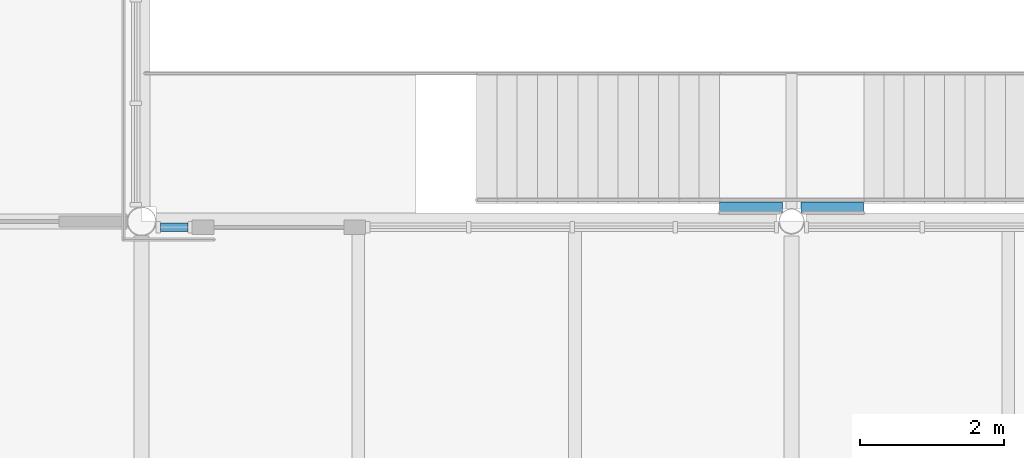
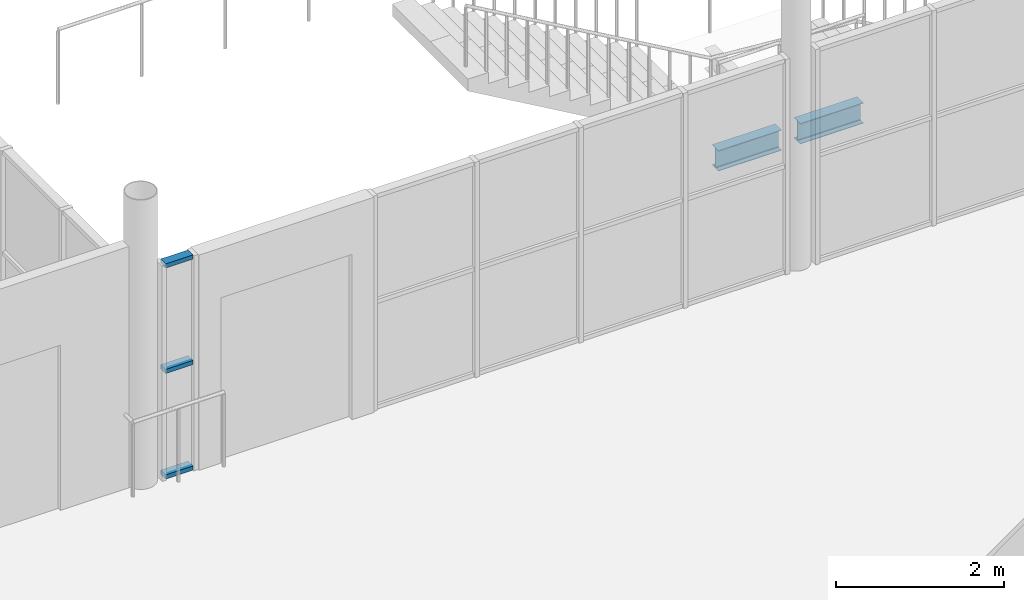
# One storey, part 25 of 57: 3 members, 2 beams, 1 element without a shape of its own.
"""IFC4 building model written with IfcOpenShell, lengths in metres."""

import ifcopenshell
import ifcopenshell.guid

model = None  # the IFC model being written
_history = None  # IfcOwnerHistory: only IFC2X3 demands one
_inside = {}  # id of a spatial element -> (the spatial element, [elements in it])
_under = {}  # id of a project, library or spatial element -> (it, [spatial elements below it])
_declared = {}  # id of a project -> (the project, [libraries it declares])
_typed = {}  # id of a type object -> (the type object, [elements of that type])
_made_of = {}  # id of a material, layer set ... -> (it, [elements and type objects made of it])


def new_model(schema):
    """Start an empty IFC model of exactly this schema.

    Asked for "IFC4X3", IfcOpenShell would pick the latest addendum, in which some entities
    have other attributes; the version numbers below select the first issue.
    IFC2X3 requires an IfcOwnerHistory on every rooted entity: one is made here for all.
    """
    global model, _history
    if schema == "IFC4X3":
        model = ifcopenshell.file(schema_version=(4, 3, 0, 0))
    else:
        model = ifcopenshell.file(schema=schema)
    _inside.clear()
    _under.clear()
    _declared.clear()
    _typed.clear()
    _made_of.clear()
    _history = None
    if model.schema == "IFC2X3":
        org = make("IfcOrganization", Name="unknown")
        user = make(
            "IfcPersonAndOrganization",
            ThePerson=make("IfcPerson", FamilyName="unknown"),
            TheOrganization=org,
        )
        app = make(
            "IfcApplication",
            ApplicationDeveloper=org,
            Version="unknown",
            ApplicationFullName="unknown",
            ApplicationIdentifier="unknown",
        )
        _history = make(
            "IfcOwnerHistory",
            OwningUser=user,
            OwningApplication=app,
            ChangeAction="ADDED",
            CreationDate=0,
        )
    return model


def make(cls, **values):
    """One entity of the class cls with the attributes given. An attribute that is None is left unset."""
    return model.create_entity(
        cls, **{name: value for name, value in values.items() if value is not None}
    )


def rooted(cls, **values):
    """An entity with a GlobalId (a new one), such as an element, a storey or a relation."""
    return make(cls, GlobalId=ifcopenshell.guid.new(), OwnerHistory=_history, **values)


def si_unit(unit_type, name, prefix=None):
    """IfcSIUnit, for example si_unit("LENGTHUNIT", "METRE", prefix="MILLI")."""
    return make("IfcSIUnit", UnitType=unit_type, Prefix=prefix, Name=name)


def assignment(units):
    """IfcUnitAssignment: the units of a project."""
    return None if units is None else make("IfcUnitAssignment", Units=units)


def point(xyz):
    """IfcCartesianPoint."""
    return None if xyz is None else make("IfcCartesianPoint", Coordinates=xyz)


def direction(xyz):
    """IfcDirection."""
    return None if xyz is None else make("IfcDirection", DirectionRatios=xyz)


def frame(location, z_axis=None, x_axis=None):
    """IfcAxis2Placement3D, a coordinate frame: its origin and axes. An axis left out is left unset."""
    return make(
        "IfcAxis2Placement3D",
        Location=point(location),
        Axis=direction(z_axis),
        RefDirection=direction(x_axis),
    )


def frame_2d(location, x_axis=None):
    """IfcAxis2Placement2D, a coordinate frame in the plane: its origin and x axis."""
    return make(
        "IfcAxis2Placement2D", Location=point(location), RefDirection=direction(x_axis)
    )


def origin():
    """The frame at (0, 0, 0) with its axes left unset."""
    return frame((0.0, 0.0, 0.0))


def origin_2d():
    """The frame at (0, 0) in the plane with its x axis left unset."""
    return frame_2d((0.0, 0.0))


def place(relative_to, where):
    """IfcLocalPlacement: puts the frame where relative to a parent placement (None: the world)."""
    return make(
        "IfcLocalPlacement", PlacementRelTo=relative_to, RelativePlacement=where
    )


def context(
    kind, dimensions, precision=None, world=None, true_north=None, identifier=None
):
    """IfcGeometricRepresentationContext, for example the 3D "Model" context."""
    return make(
        "IfcGeometricRepresentationContext",
        ContextIdentifier=identifier,
        ContextType=kind,
        CoordinateSpaceDimension=dimensions,
        Precision=precision,
        WorldCoordinateSystem=world,
        TrueNorth=true_north,
    )


def subcontext(parent, identifier, kind, view, scale=None):
    """IfcGeometricRepresentationSubContext, for example "Body" below "Model"."""
    return make(
        "IfcGeometricRepresentationSubContext",
        ContextIdentifier=identifier,
        ContextType=kind,
        ParentContext=parent,
        TargetScale=scale,
        TargetView=view,
    )


def project(units=None, contexts=None):
    """IfcProject with its units and contexts."""
    return rooted(
        "IfcProject",
        Name="project",
        RepresentationContexts=contexts,
        UnitsInContext=assignment(units),
    )


def spatial(cls, under=None, at=None, **own):
    """A site, building, storey or space (cls), placed at a placement, below another one or the project."""
    s = rooted(cls, ObjectPlacement=at, **own)
    if under is not None:
        _under.setdefault(under.id(), (under, []))[1].append(s)
    return s


def profile(cls, at=None, kind="AREA", **sizes):
    """A parametric profile (cls). Its sizes go by their IFC names, for example OverallWidth=200.0."""
    return make(cls, ProfileType=kind, Position=at, **sizes)


def rectangle(**sizes):
    """IfcRectangleProfileDef."""
    return profile("IfcRectangleProfileDef", **sizes)


def i_section(**sizes):
    """IfcIShapeProfileDef."""
    return profile("IfcIShapeProfileDef", **sizes)


def extrude(swept, where, along, depth):
    """IfcExtrudedAreaSolid: the profile swept, set in the frame where, extruded along a direction by depth."""
    return make(
        "IfcExtrudedAreaSolid",
        SweptArea=swept,
        Position=where,
        ExtrudedDirection=direction(along),
        Depth=depth,
    )


def shape(context_of_items, identifier, shape_type, items):
    """IfcShapeRepresentation: the items that make up one representation, for example the "Body"."""
    return make(
        "IfcShapeRepresentation",
        ContextOfItems=context_of_items,
        RepresentationIdentifier=identifier,
        RepresentationType=shape_type,
        Items=items,
    )


def material(Name=None, Category=None):
    """IfcMaterial."""
    return make("IfcMaterial", Name=Name, Category=Category)


def layer(
    of_material, thickness, ventilated=None, Name=None, Category=None, Priority=None
):
    """IfcMaterialLayer: one layer of a wall or slab, of a material (None: an air gap)."""
    return make(
        "IfcMaterialLayer",
        Material=of_material,
        LayerThickness=thickness,
        IsVentilated=ventilated,
        Name=Name,
        Category=Category,
        Priority=Priority,
    )


def layer_set(layers, Name=None):
    """IfcMaterialLayerSet."""
    return make("IfcMaterialLayerSet", MaterialLayers=layers, LayerSetName=Name)


def material_profile(
    of_material, cross_section, Name=None, Category=None, Priority=None
):
    """IfcMaterialProfile: a cross section and its material."""
    return make(
        "IfcMaterialProfile",
        Name=Name,
        Material=of_material,
        Profile=cross_section,
        Priority=Priority,
        Category=Category,
    )


def profile_set(profiles, Name=None, composite=None):
    """IfcMaterialProfileSet."""
    return make(
        "IfcMaterialProfileSet",
        Name=Name,
        MaterialProfiles=profiles,
        CompositeProfile=composite,
    )


def made_of(thing, what):
    """Note that an element or type object is made of a material, layer set ...; save() writes the relation."""
    if what is not None:
        _made_of.setdefault(what.id(), (what, []))[1].append(thing)
    return thing


def type_object(cls, material=None, **own):
    """A type object (cls), such as IfcWallType, which elements share."""
    return made_of(rooted(cls, **own), material)


def element(
    cls,
    number,
    at=None,
    inside=None,
    cuts=None,
    type_object=None,
    material=None,
    context=None,
    identifier="Body",
    shape_type=None,
    held_by="IfcProductDefinitionShape",
    body=None,
    shapes=None,
    **own,
):
    """One element of the class cls, such as IfcWall. Its Tag is "e" and its number.

    at: its placement. inside: the storey or other place that contains it. cuts: it is an
    opening in that element (IfcRelVoidsElement). A single representation is given by context,
    identifier, shape_type and body (its items); several are given by shapes. held_by: the class
    of the entity that holds the representations. save() writes the other relations.
    """
    e = rooted(cls, Tag="e%d" % number, ObjectPlacement=at, **own)
    if body is not None:
        shapes = [shape(context, identifier, shape_type, body)]
    if shapes is not None:
        e.Representation = make(held_by, Representations=shapes)
    if inside is not None:
        _inside.setdefault(inside.id(), (inside, []))[1].append(e)
    if cuts is not None:
        rooted(
            "IfcRelVoidsElement", RelatingBuildingElement=cuts, RelatedOpeningElement=e
        )
    if type_object is not None:
        _typed.setdefault(type_object.id(), (type_object, []))[1].append(e)
    return made_of(e, material)


def aggregate(whole, parts):
    """IfcRelAggregates: a whole, such as a stair, and the parts it consists of."""
    return rooted("IfcRelAggregates", RelatingObject=whole, RelatedObjects=parts)


def save(model, path):
    """Write the relations noted so far, then the file.

    IfcRelAggregates (storeys below a building ...), IfcRelContainedInSpatialStructure (elements
    in a storey), IfcRelDefinesByType, IfcRelAssociatesMaterial and IfcRelDeclares: one each for
    every whole, place, type object, material and project.
    """
    for whole, parts in _under.values():
        aggregate(whole, parts)
    for where, things in _inside.values():
        rooted(
            "IfcRelContainedInSpatialStructure",
            RelatedElements=things,
            RelatingStructure=where,
        )
    for kind, things in _typed.values():
        rooted("IfcRelDefinesByType", RelatedObjects=things, RelatingType=kind)
    for what, things in _made_of.values():
        rooted("IfcRelAssociatesMaterial", RelatedObjects=things, RelatingMaterial=what)
    for by, libraries in _declared.values():
        rooted("IfcRelDeclares", RelatingContext=by, RelatedDefinitions=libraries)
    model.write(path)


model = new_model("IFC4")

# Units and contexts
model_context = context("Model", 3, precision=1e-05, world=origin(), true_north=direction((0.0, 1.0)))
body_context = subcontext(model_context, "Body", "Model", "MODEL_VIEW")
ifc_project = project(units=[si_unit("LENGTHUNIT", "METRE"), si_unit("AREAUNIT", "SQUARE_METRE"), si_unit("VOLUMEUNIT", "CUBIC_METRE"), si_unit("PLANEANGLEUNIT", "RADIAN"), si_unit("MASSUNIT", "GRAM", prefix="KILO")], contexts=[model_context])

# Site, building, storey
site_placement = place(None, origin())
site = spatial("IfcSite", under=ifc_project, at=site_placement, CompositionType="ELEMENT")
building_placement = place(site_placement, origin())
building = spatial("IfcBuilding", under=site, at=building_placement, Name="Halyard Row Museum", CompositionType="ELEMENT")
storey_placement = place(building_placement, frame((0.0, 0.0, 5.0)))
storey = spatial("IfcBuildingStorey", under=building, at=storey_placement, Name="L01", CompositionType="ELEMENT", Elevation=5.0)

# Curtain wall, members
ifc_material_1 = material(Name="Fire-resisting laminated glazing", Category="glass")
ifc_layer = layer(ifc_material_1, 0.159912109375)
ifc_layer_set = layer_set([ifc_layer], Name="Fire-resisting laminated glazing")
curtain_wall_type = type_object("IfcCurtainWallType", Name="Curtain wall atrium screen 160 deep", PredefinedType="NOTDEFINED", material=ifc_layer_set)
curtain_wall_placement = place(storey_placement, origin())
curtain_wall = element("IfcCurtainWall", 1, at=curtain_wall_placement, inside=storey, type_object=curtain_wall_type, Name="Curtain wall CW075", PredefinedType="NOTDEFINED")
ifc_material_2 = material(Name="Powder-coated aluminium section", Category="aluminium")
ifc_material_profile_1 = material_profile(ifc_material_2, rectangle(XDim=0.1201171875, YDim=0.06005859375, at=origin_2d()), Name="120x60 transom")
ifc_profile_set_1 = profile_set([ifc_material_profile_1], Name="Powder-coated aluminium section")
member_type = type_object("IfcMemberType", Name="Curtain wall transom CT5 60 x 120", PredefinedType="USERDEFINED", material=ifc_profile_set_1)
member_1_placement = place(storey_placement, frame((81.26318359375, 8.919921875, 0.030029296875), z_axis=(1.0, 0.0, 0.0), x_axis=(0.0, 1.0, 0.0)))
member_1 = element("IfcMember", 2, at=member_1_placement, type_object=member_type, Name="CW075 transom 1.1", ObjectType="TRANSOM", PredefinedType="USERDEFINED", context=body_context, shape_type="SweptSolid", body=[
    extrude(rectangle(XDim=0.1201171875, YDim=0.06005859375, at=origin_2d()), origin(), (0.0, 0.0, 1.0), 0.376708984375),
])
member_2_placement = place(storey_placement, frame((81.26318359375, 8.919921875, 1.562255859375), z_axis=(1.0, 0.0, 0.0), x_axis=(0.0, 1.0, 0.0)))
member_2 = element("IfcMember", 3, at=member_2_placement, type_object=member_type, Name="CW075 transom 1.2", ObjectType="TRANSOM", PredefinedType="USERDEFINED", context=body_context, shape_type="SweptSolid", body=[
    extrude(rectangle(XDim=0.1201171875, YDim=0.06005859375, at=origin_2d()), origin(), (0.0, 0.0, 1.0), 0.376708984375),
])
member_3_placement = place(storey_placement, frame((81.26318359375, 8.919921875, 3.094482421875), z_axis=(1.0, 0.0, 0.0), x_axis=(0.0, 1.0, 0.0)))
member_3 = element("IfcMember", 4, at=member_3_placement, type_object=member_type, Name="CW075 transom 1.3", ObjectType="TRANSOM", PredefinedType="USERDEFINED", context=body_context, shape_type="SweptSolid", body=[
    extrude(rectangle(XDim=0.1201171875, YDim=0.06005859375, at=origin_2d()), origin(), (0.0, 0.0, 1.0), 0.376708984375),
])
aggregate(curtain_wall, [member_1, member_2, member_3])

# Beams
ifc_material_3 = material(Name="Steel Grade 300", Category="steel")
ifc_material_profile_2 = material_profile(ifc_material_3, i_section(OverallWidth=0.14892578125, OverallDepth=0.298095703125, WebThickness=0.005615234375, FlangeThickness=0.008056640625, FilletRadius=0.012939453125, at=origin_2d()), Name="310UB32.0")
ifc_profile_set_2 = profile_set([ifc_material_profile_2], Name="Steel Grade 300")
beam_type = type_object("IfcBeamType", Name="Landing bracket 310UB32.0", PredefinedType="BEAM", material=ifc_profile_set_2)
for number, where, z_axis, x_axis, name in (
    (5, (89.0048828125, 9.194580078125, 1.7509765625), (1.0, 0.0, 0.0), (0.0, 1.0, 0.0), "Feature stair landing side bracket L01 w"),
    (6, (90.9951171875, 9.194580078125, 1.7509765625), (-1.0, 0.0, 0.0), (0.0, -1.0, 0.0), "Feature stair landing side bracket L01 e"),
):
    element("IfcBeam", number, at=place(storey_placement, frame(where, z_axis=z_axis, x_axis=x_axis)), inside=storey, type_object=beam_type, Name=name, PredefinedType="BEAM", context=body_context, shape_type="SweptSolid", body=[
        extrude(i_section(OverallWidth=0.14892578125, OverallDepth=0.298095703125, WebThickness=0.005615234375, FlangeThickness=0.008056640625, FilletRadius=0.012939453125, at=origin_2d()), origin(), (0.0, 0.0, 1.0), 0.866943359375),
    ])

save(model, "model.ifc")
